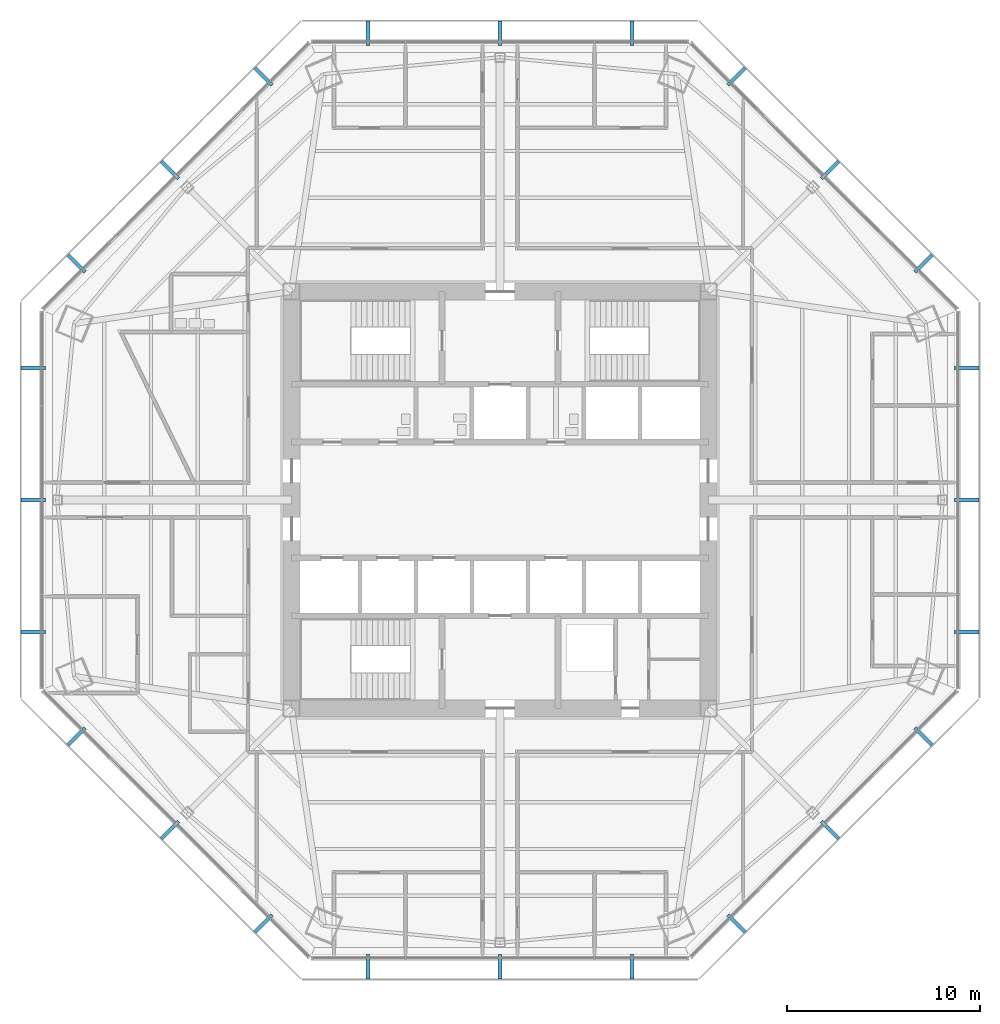
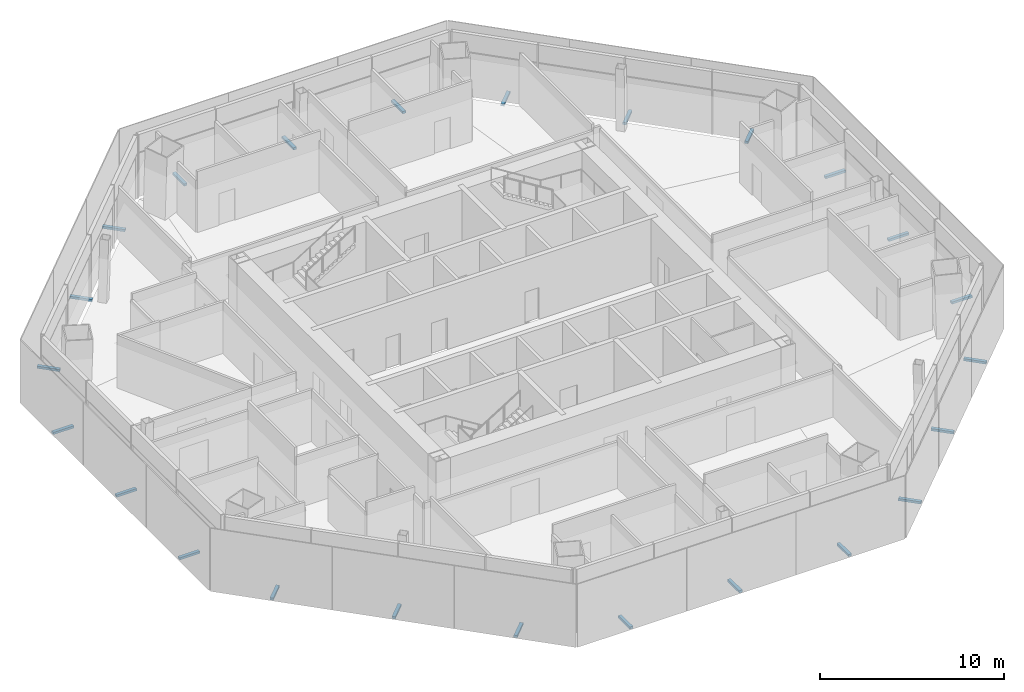
# One storey, part 12 of 15: 24 discrete accessories.
"""IFC4 building model written with IfcOpenShell, lengths in metres."""

from ifc_helpers import new_model, si_unit, direction, frame, origin, origin_2d, place, context, subcontext, project, spatial, rectangle, extrude, source, transform, mapped, material, type_object, type_shapes, element, save


model = new_model("IFC4")

# Units and contexts
model_context = context("Model", 3, precision=1e-05, world=origin(), true_north=direction((0.0, 1.0)))
body_context = subcontext(model_context, "Body", "Model", "MODEL_VIEW")
ifc_project = project(units=[si_unit("LENGTHUNIT", "METRE"), si_unit("AREAUNIT", "SQUARE_METRE"), si_unit("VOLUMEUNIT", "CUBIC_METRE"), si_unit("PLANEANGLEUNIT", "RADIAN"), si_unit("MASSUNIT", "GRAM", prefix="KILO")], contexts=[model_context])

# Site, building, storey
site_placement = place(None, origin())
site = spatial("IfcSite", under=ifc_project, at=site_placement, CompositionType="ELEMENT")
building_placement = place(site_placement, origin())
building = spatial("IfcBuilding", under=site, at=building_placement, Name="Mashrafa Tower", CompositionType="ELEMENT")
storey_placement = place(building_placement, frame((0.0, 0.0, 151.199951171875)))
storey = spatial("IfcBuildingStorey", under=building, at=storey_placement, Name="L34", CompositionType="ELEMENT", Elevation=151.199951171875)

# Discrete accessories
ifc_material = material(Name="Stainless steel screen bracket", Category="steel")
discrete_accessory_type = type_object("IfcDiscreteAccessoryType", Name="Screen support bracket 200 x 150", PredefinedType="BRACKET", material=ifc_material)
shared_shape = source(origin(), body_context, "Body", "SweptSolid", [
    extrude(rectangle(XDim=0.199951171875, YDim=1.27001953125, at=origin_2d()), origin(), (0.0, 0.0, 1.0), 0.14990234375),
])
type_shapes(discrete_accessory_type, [shared_shape])
for number, where, z_axis, x_axis, name in (
    (1, (24.17236328125, -6.84375, -0.14990234375), (0.0, 0.0, 1.0), (0.0, 1.0, 0.0), "Screen support bracket L34 east 1"),
    (2, (24.17236328125, 0.0, -0.14990234375), (0.0, 0.0, 1.0), (0.0, 1.0, 0.0), "Screen support bracket L34 east 2"),
    (3, (24.17236328125, 6.84375, -0.14990234375), (0.0, 0.0, 1.0), (0.0, 1.0, 0.0), "Screen support bracket L34 east 3"),
    (4, (21.931884765625, 12.253173828125, -0.14990234375), (0.0, 0.0, 1.0), (-0.707106781187, 0.707106781187, 0.0), "Screen support bracket L34 north-east 1"),
    (5, (17.092529296875, 17.092529296875, -0.14990234375), (0.0, 0.0, 1.0), (-0.707106781187, 0.707106781187, 0.0), "Screen support bracket L34 north-east 2"),
    (6, (12.253173828125, 21.931884765625, -0.14990234375), (0.0, 0.0, 1.0), (-0.707106781187, 0.707106781187, 0.0), "Screen support bracket L34 north-east 3"),
    (7, (6.84375, 24.17236328125, -0.14990234375), (0.0, 0.0, 1.0), (-1.0, 0.0, 0.0), "Screen support bracket L34 north 1"),
    (8, (0.0, 24.17236328125, -0.14990234375), (0.0, 0.0, 1.0), (-1.0, 0.0, 0.0), "Screen support bracket L34 north 2"),
    (9, (-6.84375, 24.17236328125, -0.14990234375), (0.0, 0.0, 1.0), (-1.0, 0.0, 0.0), "Screen support bracket L34 north 3"),
    (10, (-12.253173828125, 21.931884765625, -0.14990234375), (0.0, 0.0, 1.0), (-0.707106781187, -0.707106781187, 0.0), "Screen support bracket L34 north-west 1"),
    (11, (-17.092529296875, 17.092529296875, -0.14990234375), (0.0, 0.0, 1.0), (-0.707106781187, -0.707106781187, 0.0), "Screen support bracket L34 north-west 2"),
    (12, (-21.931884765625, 12.253173828125, -0.14990234375), (0.0, 0.0, 1.0), (-0.707106781187, -0.707106781187, 0.0), "Screen support bracket L34 north-west 3"),
    (13, (-24.17236328125, 6.84375, -0.14990234375), (0.0, 0.0, 1.0), (0.0, -1.0, 0.0), "Screen support bracket L34 west 1"),
    (14, (-24.17236328125, 0.0, -0.14990234375), (0.0, 0.0, 1.0), (0.0, -1.0, 0.0), "Screen support bracket L34 west 2"),
    (15, (-24.17236328125, -6.84375, -0.14990234375), (0.0, 0.0, 1.0), (0.0, -1.0, 0.0), "Screen support bracket L34 west 3"),
    (16, (-21.931884765625, -12.253173828125, -0.14990234375), (0.0, 0.0, 1.0), (0.707106781187, -0.707106781187, 0.0), "Screen support bracket L34 south-west 1"),
    (17, (-17.092529296875, -17.092529296875, -0.14990234375), (0.0, 0.0, 1.0), (0.707106781187, -0.707106781187, 0.0), "Screen support bracket L34 south-west 2"),
    (18, (-12.253173828125, -21.931884765625, -0.14990234375), (0.0, 0.0, 1.0), (0.707106781187, -0.707106781187, 0.0), "Screen support bracket L34 south-west 3"),
    (19, (-6.84375, -24.17236328125, -0.14990234375), (0.0, 0.0, 1.0), (1.0, 0.0, 0.0), "Screen support bracket L34 south 1"),
    (20, (0.0, -24.17236328125, -0.14990234375), (0.0, 0.0, 1.0), (1.0, 0.0, 0.0), "Screen support bracket L34 south 2"),
    (21, (6.84375, -24.17236328125, -0.14990234375), (0.0, 0.0, 1.0), (1.0, 0.0, 0.0), "Screen support bracket L34 south 3"),
    (22, (12.253173828125, -21.931884765625, -0.14990234375), (0.0, 0.0, 1.0), (0.707106781187, 0.707106781187, 0.0), "Screen support bracket L34 south-east 1"),
    (23, (17.092529296875, -17.092529296875, -0.14990234375), (0.0, 0.0, 1.0), (0.707106781187, 0.707106781187, 0.0), "Screen support bracket L34 south-east 2"),
    (24, (21.931884765625, -12.253173828125, -0.14990234375), (0.0, 0.0, 1.0), (0.707106781187, 0.707106781187, 0.0), "Screen support bracket L34 south-east 3"),
):
    element("IfcDiscreteAccessory", number, at=place(storey_placement, frame(where, z_axis=z_axis, x_axis=x_axis)), inside=storey, type_object=discrete_accessory_type, Name=name, PredefinedType="BRACKET", context=body_context, shape_type="MappedRepresentation", body=[
        mapped(shared_shape, transform((0.0, 0.0, 0.0))),
    ])

save(model, "model.ifc")
